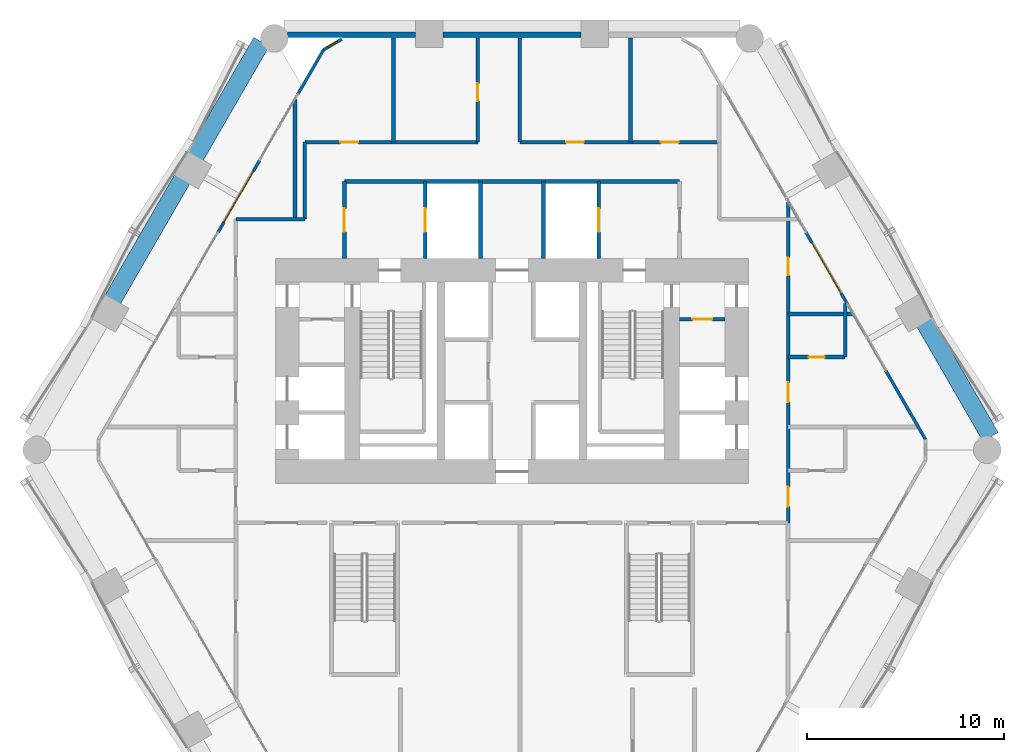
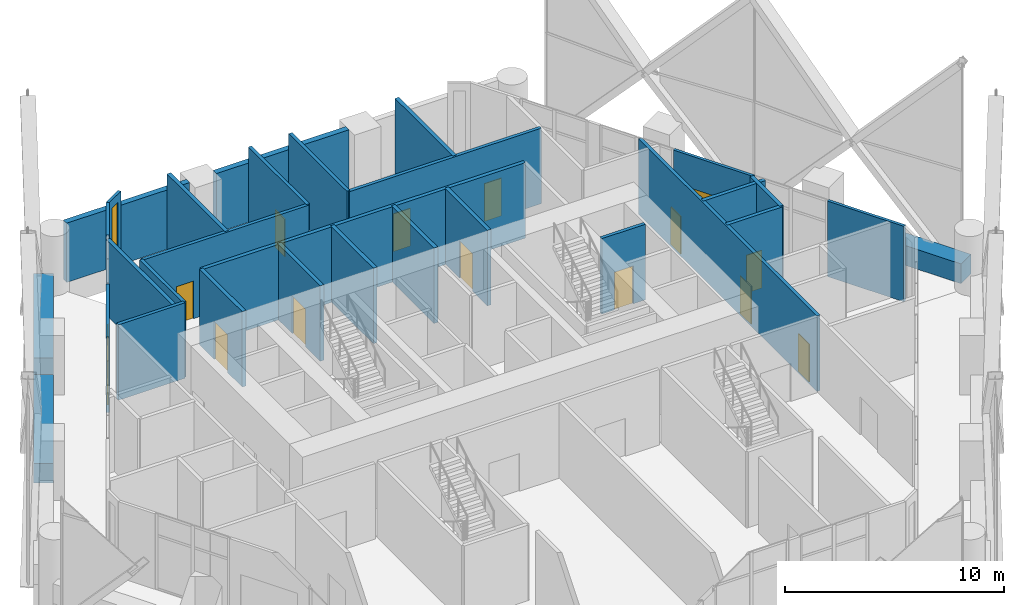
# One storey, part 39 of 46: 30 walls, 14 doors, 1 window, 15 openings.
"""IFC4 building model written with IfcOpenShell, lengths in metres."""

import ifcopenshell
import ifcopenshell.guid

model = None  # the IFC model being written
_history = None  # IfcOwnerHistory: only IFC2X3 demands one
_inside = {}  # id of a spatial element -> (the spatial element, [elements in it])
_under = {}  # id of a project, library or spatial element -> (it, [spatial elements below it])
_declared = {}  # id of a project -> (the project, [libraries it declares])
_typed = {}  # id of a type object -> (the type object, [elements of that type])
_made_of = {}  # id of a material, layer set ... -> (it, [elements and type objects made of it])


def new_model(schema):
    """Start an empty IFC model of exactly this schema.

    Asked for "IFC4X3", IfcOpenShell would pick the latest addendum, in which some entities
    have other attributes; the version numbers below select the first issue.
    IFC2X3 requires an IfcOwnerHistory on every rooted entity: one is made here for all.
    """
    global model, _history
    if schema == "IFC4X3":
        model = ifcopenshell.file(schema_version=(4, 3, 0, 0))
    else:
        model = ifcopenshell.file(schema=schema)
    _inside.clear()
    _under.clear()
    _declared.clear()
    _typed.clear()
    _made_of.clear()
    _history = None
    if model.schema == "IFC2X3":
        org = make("IfcOrganization", Name="unknown")
        user = make(
            "IfcPersonAndOrganization",
            ThePerson=make("IfcPerson", FamilyName="unknown"),
            TheOrganization=org,
        )
        app = make(
            "IfcApplication",
            ApplicationDeveloper=org,
            Version="unknown",
            ApplicationFullName="unknown",
            ApplicationIdentifier="unknown",
        )
        _history = make(
            "IfcOwnerHistory",
            OwningUser=user,
            OwningApplication=app,
            ChangeAction="ADDED",
            CreationDate=0,
        )
    return model


def make(cls, **values):
    """One entity of the class cls with the attributes given. An attribute that is None is left unset."""
    return model.create_entity(
        cls, **{name: value for name, value in values.items() if value is not None}
    )


def rooted(cls, **values):
    """An entity with a GlobalId (a new one), such as an element, a storey or a relation."""
    return make(cls, GlobalId=ifcopenshell.guid.new(), OwnerHistory=_history, **values)


def si_unit(unit_type, name, prefix=None):
    """IfcSIUnit, for example si_unit("LENGTHUNIT", "METRE", prefix="MILLI")."""
    return make("IfcSIUnit", UnitType=unit_type, Prefix=prefix, Name=name)


def assignment(units):
    """IfcUnitAssignment: the units of a project."""
    return None if units is None else make("IfcUnitAssignment", Units=units)


def point(xyz):
    """IfcCartesianPoint."""
    return None if xyz is None else make("IfcCartesianPoint", Coordinates=xyz)


def direction(xyz):
    """IfcDirection."""
    return None if xyz is None else make("IfcDirection", DirectionRatios=xyz)


def frame(location, z_axis=None, x_axis=None):
    """IfcAxis2Placement3D, a coordinate frame: its origin and axes. An axis left out is left unset."""
    return make(
        "IfcAxis2Placement3D",
        Location=point(location),
        Axis=direction(z_axis),
        RefDirection=direction(x_axis),
    )


def frame_2d(location, x_axis=None):
    """IfcAxis2Placement2D, a coordinate frame in the plane: its origin and x axis."""
    return make(
        "IfcAxis2Placement2D", Location=point(location), RefDirection=direction(x_axis)
    )


def origin():
    """The frame at (0, 0, 0) with its axes left unset."""
    return frame((0.0, 0.0, 0.0))


def place(relative_to, where):
    """IfcLocalPlacement: puts the frame where relative to a parent placement (None: the world)."""
    return make(
        "IfcLocalPlacement", PlacementRelTo=relative_to, RelativePlacement=where
    )


def context(
    kind, dimensions, precision=None, world=None, true_north=None, identifier=None
):
    """IfcGeometricRepresentationContext, for example the 3D "Model" context."""
    return make(
        "IfcGeometricRepresentationContext",
        ContextIdentifier=identifier,
        ContextType=kind,
        CoordinateSpaceDimension=dimensions,
        Precision=precision,
        WorldCoordinateSystem=world,
        TrueNorth=true_north,
    )


def subcontext(parent, identifier, kind, view, scale=None):
    """IfcGeometricRepresentationSubContext, for example "Body" below "Model"."""
    return make(
        "IfcGeometricRepresentationSubContext",
        ContextIdentifier=identifier,
        ContextType=kind,
        ParentContext=parent,
        TargetScale=scale,
        TargetView=view,
    )


def project(units=None, contexts=None):
    """IfcProject with its units and contexts."""
    return rooted(
        "IfcProject",
        Name="project",
        RepresentationContexts=contexts,
        UnitsInContext=assignment(units),
    )


def spatial(cls, under=None, at=None, **own):
    """A site, building, storey or space (cls), placed at a placement, below another one or the project."""
    s = rooted(cls, ObjectPlacement=at, **own)
    if under is not None:
        _under.setdefault(under.id(), (under, []))[1].append(s)
    return s


def profile(cls, at=None, kind="AREA", **sizes):
    """A parametric profile (cls). Its sizes go by their IFC names, for example OverallWidth=200.0."""
    return make(cls, ProfileType=kind, Position=at, **sizes)


def rectangle(**sizes):
    """IfcRectangleProfileDef."""
    return profile("IfcRectangleProfileDef", **sizes)


def extrude(swept, where, along, depth):
    """IfcExtrudedAreaSolid: the profile swept, set in the frame where, extruded along a direction by depth."""
    return make(
        "IfcExtrudedAreaSolid",
        SweptArea=swept,
        Position=where,
        ExtrudedDirection=direction(along),
        Depth=depth,
    )


def shape(context_of_items, identifier, shape_type, items):
    """IfcShapeRepresentation: the items that make up one representation, for example the "Body"."""
    return make(
        "IfcShapeRepresentation",
        ContextOfItems=context_of_items,
        RepresentationIdentifier=identifier,
        RepresentationType=shape_type,
        Items=items,
    )


def material(Name=None, Category=None):
    """IfcMaterial."""
    return make("IfcMaterial", Name=Name, Category=Category)


def layer(
    of_material, thickness, ventilated=None, Name=None, Category=None, Priority=None
):
    """IfcMaterialLayer: one layer of a wall or slab, of a material (None: an air gap)."""
    return make(
        "IfcMaterialLayer",
        Material=of_material,
        LayerThickness=thickness,
        IsVentilated=ventilated,
        Name=Name,
        Category=Category,
        Priority=Priority,
    )


def layer_set(layers, Name=None):
    """IfcMaterialLayerSet."""
    return make("IfcMaterialLayerSet", MaterialLayers=layers, LayerSetName=Name)


def made_of(thing, what):
    """Note that an element or type object is made of a material, layer set ...; save() writes the relation."""
    if what is not None:
        _made_of.setdefault(what.id(), (what, []))[1].append(thing)
    return thing


def type_object(cls, material=None, **own):
    """A type object (cls), such as IfcWallType, which elements share."""
    return made_of(rooted(cls, **own), material)


def element(
    cls,
    number,
    at=None,
    inside=None,
    cuts=None,
    type_object=None,
    material=None,
    context=None,
    identifier="Body",
    shape_type=None,
    held_by="IfcProductDefinitionShape",
    body=None,
    shapes=None,
    **own,
):
    """One element of the class cls, such as IfcWall. Its Tag is "e" and its number.

    at: its placement. inside: the storey or other place that contains it. cuts: it is an
    opening in that element (IfcRelVoidsElement). A single representation is given by context,
    identifier, shape_type and body (its items); several are given by shapes. held_by: the class
    of the entity that holds the representations. save() writes the other relations.
    """
    e = rooted(cls, Tag="e%d" % number, ObjectPlacement=at, **own)
    if body is not None:
        shapes = [shape(context, identifier, shape_type, body)]
    if shapes is not None:
        e.Representation = make(held_by, Representations=shapes)
    if inside is not None:
        _inside.setdefault(inside.id(), (inside, []))[1].append(e)
    if cuts is not None:
        rooted(
            "IfcRelVoidsElement", RelatingBuildingElement=cuts, RelatedOpeningElement=e
        )
    if type_object is not None:
        _typed.setdefault(type_object.id(), (type_object, []))[1].append(e)
    return made_of(e, material)


def fill(opening, filler):
    """IfcRelFillsElement: the door or window that sits in an opening."""
    return rooted(
        "IfcRelFillsElement",
        RelatingOpeningElement=opening,
        RelatedBuildingElement=filler,
    )


def aggregate(whole, parts):
    """IfcRelAggregates: a whole, such as a stair, and the parts it consists of."""
    return rooted("IfcRelAggregates", RelatingObject=whole, RelatedObjects=parts)


def save(model, path):
    """Write the relations noted so far, then the file.

    IfcRelAggregates (storeys below a building ...), IfcRelContainedInSpatialStructure (elements
    in a storey), IfcRelDefinesByType, IfcRelAssociatesMaterial and IfcRelDeclares: one each for
    every whole, place, type object, material and project.
    """
    for whole, parts in _under.values():
        aggregate(whole, parts)
    for where, things in _inside.values():
        rooted(
            "IfcRelContainedInSpatialStructure",
            RelatedElements=things,
            RelatingStructure=where,
        )
    for kind, things in _typed.values():
        rooted("IfcRelDefinesByType", RelatedObjects=things, RelatingType=kind)
    for what, things in _made_of.values():
        rooted("IfcRelAssociatesMaterial", RelatedObjects=things, RelatingMaterial=what)
    for by, libraries in _declared.values():
        rooted("IfcRelDeclares", RelatingContext=by, RelatedDefinitions=libraries)
    model.write(path)


model = new_model("IFC4")

# Units and contexts
model_context = context("Model", 3, precision=1e-05, world=origin(), true_north=direction((0.0, 1.0)))
body_context = subcontext(model_context, "Body", "Model", "MODEL_VIEW")
ifc_project = project(units=[si_unit("LENGTHUNIT", "METRE"), si_unit("AREAUNIT", "SQUARE_METRE"), si_unit("VOLUMEUNIT", "CUBIC_METRE"), si_unit("PLANEANGLEUNIT", "RADIAN"), si_unit("MASSUNIT", "GRAM", prefix="KILO")], contexts=[model_context])

# Site, building, storey
site_placement = place(None, origin())
site = spatial("IfcSite", under=ifc_project, at=site_placement, CompositionType="ELEMENT")
building_placement = place(site_placement, origin())
building = spatial("IfcBuilding", under=site, at=building_placement, Name="Ostrander Bayou Hotel Tower", CompositionType="ELEMENT")
storey_placement = place(building_placement, frame((0.0, 0.0, 23.5)))
storey = spatial("IfcBuildingStorey", under=building, at=storey_placement, Name="L05", CompositionType="ELEMENT", Elevation=23.5)

# Wall, opening, door
ifc_material_1 = material(Name="Aluminium framed insulated wall", Category="aluminium")
ifc_layer_1 = layer(ifc_material_1, 0.14990234375)
ifc_layer_set_1 = layer_set([ifc_layer_1], Name="GW1 glass-line wall 150 mm")
wall_type_1 = type_object("IfcWallType", Name="GW1 glass-line wall 150 mm", PredefinedType="SOLIDWALL", material=ifc_layer_set_1)
wall_1_placement = place(storey_placement, frame((-12.806396484375, 14.66845703125, 0.0), z_axis=(0.0, 0.0, 1.0), x_axis=(-0.500027713859, -0.866009402589, 0.0)))
wall_1 = element("IfcWall", 1, at=wall_1_placement, inside=storey, type_object=wall_type_1, Name="GW1 L05 NW 2", PredefinedType="SOLIDWALL", context=body_context, shape_type="SweptSolid", body=[
    extrude(rectangle(XDim=4.199951171875, YDim=0.14990234375, at=frame_2d((2.10009765625, 0.0))), origin(), (0.0, 0.0, 1.0), 4.199951171875),
])
opening_1_placement = place(wall_1_placement, frame((0.60009765625, 0.0, 0.0)))
opening_1 = element("IfcOpeningElement", 2, at=opening_1_placement, cuts=wall_1, Name="Opening T05-800", PredefinedType="OPENING", context=body_context, shape_type="SweptSolid", body=[
    extrude(rectangle(XDim=3.0, YDim=2.39990234375, at=frame_2d((1.5, 1.199951171875))), frame((0.0, 0.074951171875, 0.0), z_axis=(0.0, -1.0, 0.0), x_axis=(1.0, 0.0, 0.0)), (0.0, 0.0, 1.0), 0.14990234375),
])
ifc_material_2 = material(Name="Aluminium and clear glass", Category="aluminium")
door_type_1 = type_object("IfcDoorType", Name="SD5 sliding glass door 3000 mm", OperationType="SLIDING_TO_LEFT", PredefinedType="DOOR", material=ifc_material_2)
door_1_placement = place(opening_1_placement, origin())
door_1 = element("IfcDoor", 3, at=door_1_placement, inside=storey, type_object=door_type_1, Name="SD5 L05 NW 2", OperationType="SLIDING_TO_RIGHT", OverallHeight=2.39990234375, OverallWidth=3.0, PredefinedType="DOOR", context=body_context, shape_type="SweptSolid", body=[
    extrude(rectangle(XDim=3.0, YDim=2.39990234375, at=frame_2d((1.5, 1.199951171875))), frame((0.0, 0.02490234375, 0.0), z_axis=(0.0, -1.0, 0.0), x_axis=(1.0, 0.0, 0.0)), (0.0, 0.0, 1.0), 0.050048828125),
])
fill(opening_1, door_1)

# Wall
wall_2_placement = place(storey_placement, frame((-9.5595703125, 20.29248046875, 0.0), z_axis=(0.0, 0.0, 1.0), x_axis=(-0.499945140294, -0.866057074734, 0.0)))
element("IfcWall", 4, at=wall_2_placement, inside=storey, type_object=wall_type_1, Name="GW1 L05 NW end 1", PredefinedType="SOLIDWALL", context=body_context, shape_type="SweptSolid", body=[
    extrude(rectangle(XDim=2.593994140625, YDim=0.14990234375, at=frame_2d((1.296875, 0.0))), origin(), (0.0, 0.0, 1.0), 4.199951171875),
])

# Wall, opening, door
wall_3_placement = place(storey_placement, frame((17.006591796875, 7.393798828125, 0.0), z_axis=(0.0, 0.0, 1.0), x_axis=(-0.500002543286, 0.866023935413, 0.0)))
wall_3 = element("IfcWall", 5, at=wall_3_placement, inside=storey, type_object=wall_type_1, Name="GW1 L05 NE 3", PredefinedType="SOLIDWALL", context=body_context, shape_type="SweptSolid", body=[
    extrude(rectangle(XDim=4.2001953125, YDim=0.14990234375, at=frame_2d((2.10009765625, 0.0))), origin(), (0.0, 0.0, 1.0), 4.199951171875),
])
opening_2_placement = place(wall_3_placement, frame((0.60009765625, 0.0, 0.0)))
opening_2 = element("IfcOpeningElement", 6, at=opening_2_placement, cuts=wall_3, Name="Opening T05-804", PredefinedType="OPENING", context=body_context, shape_type="SweptSolid", body=[
    extrude(rectangle(XDim=3.0, YDim=2.39990234375, at=frame_2d((1.5, 1.199951171875))), frame((0.0, 0.074951171875, 0.0), z_axis=(0.0, -1.0, 0.0), x_axis=(1.0, 0.0, 0.0)), (0.0, 0.0, 1.0), 0.14990234375),
])
door_2_placement = place(opening_2_placement, origin())
door_2 = element("IfcDoor", 7, at=door_2_placement, inside=storey, type_object=door_type_1, Name="SD5 L05 NE 3", OperationType="SLIDING_TO_LEFT", OverallHeight=2.39990234375, OverallWidth=3.0, PredefinedType="DOOR", context=body_context, shape_type="SweptSolid", body=[
    extrude(rectangle(XDim=3.0, YDim=2.39990234375, at=frame_2d((1.5, 1.199951171875))), frame((0.0, 0.02490234375, 0.0), z_axis=(0.0, -1.0, 0.0), x_axis=(1.0, 0.0, 0.0)), (0.0, 0.0, 1.0), 0.050048828125),
])
fill(opening_2, door_2)

# Wall
wall_4_placement = place(storey_placement, frame((20.968017578125, 0.532470703125, 0.0), z_axis=(0.0, 0.0, 1.0), x_axis=(-0.500009633848, 0.866019841608, 0.0)))
element("IfcWall", 8, at=wall_4_placement, inside=storey, type_object=wall_type_1, Name="GW1 L05 NE end 1", PredefinedType="SOLIDWALL", context=body_context, shape_type="SweptSolid", body=[
    extrude(rectangle(XDim=4.02294921875, YDim=0.14990234375, at=frame_2d((2.011474609375, 0.0))), origin(), (0.0, 0.0, 1.0), 4.199951171875),
])

# Wall, opening, window
wall_5_placement = place(storey_placement, frame((-8.63720703125, 20.824951171875, 0.0), z_axis=(0.0, 0.0, 1.0), x_axis=(-0.866048165231, -0.499960573946, 0.0)))
wall_5 = element("IfcWall", 9, at=wall_5_placement, inside=storey, type_object=wall_type_1, Name="GW1 L05 corner 1", PredefinedType="SOLIDWALL", context=body_context, shape_type="SweptSolid", body=[
    extrude(rectangle(XDim=1.06494140625, YDim=0.14990234375, at=frame_2d((0.532470703125, 0.0))), origin(), (0.0, 0.0, 1.0), 4.199951171875),
])
opening_3_placement = place(wall_5_placement, frame((0.257568359375, 0.0, 0.14990234375)))
opening_3 = element("IfcOpeningElement", 10, at=opening_3_placement, cuts=wall_5, Name="Opening W19", PredefinedType="OPENING", context=body_context, shape_type="SweptSolid", body=[
    extrude(rectangle(XDim=0.550048828125, YDim=3.60009765625, at=frame_2d((0.27490234375, 1.800048828125))), frame((0.0, 0.074951171875, 0.0), z_axis=(0.0, -1.0, 0.0), x_axis=(1.0, 0.0, 0.0)), (0.0, 0.0, 1.0), 0.14990234375),
])
ifc_material_3 = material(Name="Aluminium and clear glass", Category="aluminium")
window_type = type_object("IfcWindowType", Name="W19 corner window 550 mm", PartitioningType="SINGLE_PANEL", PredefinedType="WINDOW", material=ifc_material_3)
window_placement = place(opening_3_placement, origin())
window = element("IfcWindow", 11, at=window_placement, inside=storey, type_object=window_type, Name="W19 L05 corner 1", OverallHeight=3.60009765625, OverallWidth=0.550048828125, PartitioningType="SINGLE_PANEL", PredefinedType="WINDOW", context=body_context, shape_type="SweptSolid", body=[
    extrude(rectangle(XDim=0.550048828125, YDim=3.60009765625, at=frame_2d((0.27490234375, 1.800048828125))), frame((0.0, 0.030029296875, 0.0), z_axis=(0.0, -1.0, 0.0), x_axis=(1.0, 0.0, 0.0)), (0.0, 0.0, 1.0), 0.06005859375),
])
fill(opening_3, window)

# Walls
ifc_material_4 = material(Name="Reconstituted stone on masonry backing", Category="masonry")
ifc_layer_2 = layer(ifc_material_4, 0.300048828125)
ifc_layer_set_2 = layer_set([ifc_layer_2], Name="NW1 north stone wall 300 mm")
wall_type_2 = type_object("IfcWallType", Name="NW1 north stone wall 300 mm", PredefinedType="SOLIDWALL", material=ifc_layer_set_2)
wall_6_placement = place(storey_placement, frame((3.495361328125, 21.050048828125, 0.0), z_axis=(0.0, 0.0, 1.0), x_axis=(-1.0, 0.0, 0.0)))
element("IfcWall", 12, at=wall_6_placement, inside=storey, type_object=wall_type_2, Name="NW1 L05 N-2", PredefinedType="SOLIDWALL", context=body_context, shape_type="SweptSolid", body=[
    extrude(rectangle(XDim=6.99072265625, YDim=0.300048828125, at=frame_2d((3.495361328125, 0.0))), origin(), (0.0, 0.0, 1.0), 3.300048828125),
])
wall_7_placement = place(storey_placement, frame((-4.8955078125, 21.050048828125, 0.0), z_axis=(0.0, 0.0, 1.0), x_axis=(-1.0, 0.0, 0.0)))
element("IfcWall", 13, at=wall_7_placement, inside=storey, type_object=wall_type_2, Name="NW1 L05 N-3", PredefinedType="SOLIDWALL", context=body_context, shape_type="SweptSolid", body=[
    extrude(rectangle(XDim=6.481201171875, YDim=0.300048828125, at=frame_2d((3.24072265625, 0.0))), origin(), (0.0, 0.0, 1.0), 3.300048828125),
])
ifc_material_5 = material(Name="Concrete f'c 40 MPa", Category="concrete")
ifc_layer_3 = layer(ifc_material_5, 0.89990234375)
ifc_layer_set_3 = layer_set([ifc_layer_3], Name="PA1 stone-faced parapet 900 mm")
wall_type_3 = type_object("IfcWallType", Name="PA1 stone-faced parapet 900 mm", PredefinedType="PARAPET", material=ifc_layer_set_3)
wall_8_placement = place(storey_placement, frame((-12.705078125, 20.694091796875, 0.0), z_axis=(0.0, 0.0, 1.0), x_axis=(-0.500005133765, -0.866022439784, 0.0)))
element("IfcWall", 14, at=wall_8_placement, inside=storey, type_object=wall_type_3, Name="PA1 L05 NW-1", PredefinedType="PARAPET", context=body_context, shape_type="SweptSolid", body=[
    extrude(rectangle(XDim=6.70361328125, YDim=0.89990234375, at=frame_2d((3.351806640625, 0.0))), origin(), (0.0, 0.0, 1.0), 1.10009765625),
])
wall_9_placement = place(storey_placement, frame((-16.726806640625, 13.72802734375, 0.0), z_axis=(0.0, 0.0, 1.0), x_axis=(-0.499997206141, -0.866027016814, 0.0)))
element("IfcWall", 15, at=wall_9_placement, inside=storey, type_object=wall_type_3, Name="PA1 L05 NW-2", PredefinedType="PARAPET", context=body_context, shape_type="SweptSolid", body=[
    extrude(rectangle(XDim=7.05078125, YDim=0.89990234375, at=frame_2d((3.525390625, 0.0))), origin(), (0.0, 0.0, 1.0), 1.10009765625),
])
wall_10_placement = place(storey_placement, frame((24.274169921875, 0.656005859375, 0.0), z_axis=(0.0, 0.0, 1.0), x_axis=(-0.500005133765, 0.866022439784, 0.0)))
element("IfcWall", 16, at=wall_10_placement, inside=storey, type_object=wall_type_3, Name="PA1 L05 NE-1", PredefinedType="PARAPET", context=body_context, shape_type="SweptSolid", body=[
    extrude(rectangle(XDim=6.70361328125, YDim=0.89990234375, at=frame_2d((3.351806640625, 0.0))), origin(), (0.0, 0.0, 1.0), 1.10009765625),
])

# Wall, opening, door
ifc_material_6 = material(Name="Gypsum board partition", Category="finish")
ifc_layer_4 = layer(ifc_material_6, 0.199951171875)
ifc_layer_set_4 = layer_set([ifc_layer_4], Name="PT3 demising wall 200 mm acoustic double stud, 1 hour")
wall_type_4 = type_object("IfcWallType", Name="PT3 demising wall 200 mm acoustic double stud, 1 hour", PredefinedType="PARTITIONING", material=ifc_layer_set_4)
wall_11_placement = place(storey_placement, frame((14.0, 4.699951171875, 0.0), z_axis=(0.0, 0.0, 1.0), x_axis=(1.0, 0.0, 0.0)))
wall_11 = element("IfcWall", 17, at=wall_11_placement, inside=storey, type_object=wall_type_4, Name="sw:L05:021", PredefinedType="PARTITIONING", context=body_context, shape_type="SweptSolid", body=[
    extrude(rectangle(XDim=2.89990234375, YDim=0.199951171875, at=frame_2d((1.449951171875, 0.0))), origin(), (0.0, 0.0, 1.0), 4.199951171875),
])
opening_4_placement = place(wall_11_placement, frame((1.050048828125, 0.0, 0.0)))
opening_4 = element("IfcOpeningElement", 18, at=opening_4_placement, cuts=wall_11, Name="Opening T05-214", PredefinedType="OPENING", context=body_context, shape_type="SweptSolid", body=[
    extrude(rectangle(XDim=0.800048828125, YDim=2.10009765625, at=frame_2d((0.39990234375, 1.050048828125))), frame((0.0, 0.10009765625, 0.0), z_axis=(0.0, -1.0, 0.0), x_axis=(1.0, 0.0, 0.0)), (0.0, 0.0, 1.0), 0.199951171875),
])
ifc_material_7 = material(Name="Timber door leaf", Category="wood")
door_type_2 = type_object("IfcDoorType", Name="D2 bathroom door 800 x 2100 mm", OperationType="SINGLE_SWING_LEFT", PredefinedType="DOOR", material=ifc_material_7)
door_3_placement = place(opening_4_placement, origin())
door_3 = element("IfcDoor", 19, at=door_3_placement, inside=storey, type_object=door_type_2, Name="dr:L05:214", OperationType="SINGLE_SWING_RIGHT", OverallHeight=2.10009765625, OverallWidth=0.800048828125, PredefinedType="DOOR", context=body_context, shape_type="SweptSolid", body=[
    extrude(rectangle(XDim=0.800048828125, YDim=2.10009765625, at=frame_2d((0.39990234375, 1.050048828125))), frame((0.0, 0.02490234375, 0.0), z_axis=(0.0, -1.0, 0.0), x_axis=(1.0, 0.0, 0.0)), (0.0, 0.0, 1.0), 0.050048828125),
])
fill(opening_4, door_3)

# Walls
wall_12_placement = place(storey_placement, frame((14.0, 6.89990234375, 0.0), z_axis=(0.0, 0.0, 1.0), x_axis=(1.0, 0.0, 0.0)))
element("IfcWall", 20, at=wall_12_placement, inside=storey, type_object=wall_type_4, Name="sw:L05:023", PredefinedType="PARTITIONING", context=body_context, shape_type="SweptSolid", body=[
    extrude(rectangle(XDim=3.2705078125, YDim=0.199951171875, at=frame_2d((1.63525390625, 0.0))), origin(), (0.0, 0.0, 1.0), 4.199951171875),
])
wall_13_placement = place(storey_placement, frame((-11.0, 11.699951171875, 0.0), z_axis=(0.0, 0.0, 1.0), x_axis=(0.0, 1.0, 0.0)))
element("IfcWall", 21, at=wall_13_placement, inside=storey, type_object=wall_type_4, Name="sw:L05:027", PredefinedType="PARTITIONING", context=body_context, shape_type="SweptSolid", body=[
    extrude(rectangle(XDim=6.064453125, YDim=0.199951171875, at=frame_2d((3.0322265625, 0.0))), origin(), (0.0, 0.0, 1.0), 4.199951171875),
])
for number, where, z_axis, x_axis, name in (
    (22, (-6.0, 15.60009765625, 0.0), (0.0, 0.0, 1.0), (0.0, 1.0, 0.0), "sw:L05:028"),
    (23, (6.0, 15.60009765625, 0.0), (0.0, 0.0, 1.0), (0.0, 1.0, 0.0), "sw:L05:031"),
):
    element("IfcWall", number, at=place(storey_placement, frame(where, z_axis=z_axis, x_axis=x_axis)), inside=storey, type_object=wall_type_4, Name=name, PredefinedType="PARTITIONING", context=body_context, shape_type="SweptSolid", body=[
        extrude(rectangle(XDim=5.294921875, YDim=0.199951171875, at=frame_2d((2.6474609375, 0.0))), origin(), (0.0, 0.0, 1.0), 4.199951171875),
    ])
wall_14_placement = place(storey_placement, frame((16.89990234375, 4.699951171875, 0.0), z_axis=(0.0, 0.0, 1.0), x_axis=(0.0, 1.0, 0.0)))
element("IfcWall", 24, at=wall_14_placement, inside=storey, type_object=wall_type_4, Name="sw:L05:037", PredefinedType="PARTITIONING", context=body_context, shape_type="SweptSolid", body=[
    extrude(rectangle(XDim=2.723388671875, YDim=0.199951171875, at=frame_2d((1.36181640625, 0.0))), origin(), (0.0, 0.0, 1.0), 4.199951171875),
])

# Wall, opening, door
ifc_material_8 = material(Name="Gypsum board partition", Category="finish")
ifc_layer_5 = layer(ifc_material_8, 0.175048828125)
ifc_layer_set_5 = layer_set([ifc_layer_5], Name="PT4 corridor wall 175 mm, 1 hour")
wall_type_5 = type_object("IfcWallType", Name="PT4 corridor wall 175 mm, 1 hour", PredefinedType="PARTITIONING", material=ifc_layer_set_5)
wall_15_placement = place(storey_placement, frame((8.5, 6.614013671875, 0.0), z_axis=(0.0, 0.0, 1.0), x_axis=(1.0, 0.0, 0.0)))
wall_15 = element("IfcWall", 25, at=wall_15_placement, inside=storey, type_object=wall_type_5, Name="cs:L05:036", PredefinedType="PARTITIONING", context=body_context, shape_type="SweptSolid", body=[
    extrude(rectangle(XDim=2.300048828125, YDim=0.175048828125, at=frame_2d((1.14990234375, 0.0))), origin(), (0.0, 0.0, 1.0), 4.199951171875),
])
opening_5_placement = place(wall_15_placement, frame((0.64990234375, 0.0, 0.0)))
opening_5 = element("IfcOpeningElement", 26, at=opening_5_placement, cuts=wall_15, Name="Opening T05-018", PredefinedType="OPENING", context=body_context, shape_type="SweptSolid", body=[
    extrude(rectangle(XDim=1.0, YDim=2.10009765625, at=frame_2d((0.5, 1.050048828125))), frame((0.0, 0.08740234375, 0.0), z_axis=(0.0, -1.0, 0.0), x_axis=(1.0, 0.0, 0.0)), (0.0, 0.0, 1.0), 0.175048828125),
])
ifc_material_9 = material(Name="Timber door leaf", Category="wood")
door_type_3 = type_object("IfcDoorType", Name="D4 corridor door 1000 x 2100 mm, 1 hour", OperationType="SINGLE_SWING_LEFT", PredefinedType="DOOR", material=ifc_material_9)
door_4_placement = place(opening_5_placement, origin())
door_4 = element("IfcDoor", 27, at=door_4_placement, inside=storey, type_object=door_type_3, Name="dr:L05:018", OperationType="SINGLE_SWING_RIGHT", OverallHeight=2.10009765625, OverallWidth=1.0, PredefinedType="DOOR", context=body_context, shape_type="SweptSolid", body=[
    extrude(rectangle(XDim=1.0, YDim=2.10009765625, at=frame_2d((0.5, 1.050048828125))), frame((0.0, 0.02490234375, 0.0), z_axis=(0.0, -1.0, 0.0), x_axis=(1.0, 0.0, 0.0)), (0.0, 0.0, 1.0), 0.050048828125),
])
fill(opening_5, door_4)

# Wall
wall_16_placement = place(storey_placement, frame((-14.0, 11.699951171875, 0.0), z_axis=(0.0, 0.0, 1.0), x_axis=(1.0, 0.0, 0.0)))
element("IfcWall", 28, at=wall_16_placement, inside=storey, type_object=wall_type_5, Name="sw:L05:004", PredefinedType="PARTITIONING", context=body_context, shape_type="SweptSolid", body=[
    extrude(rectangle(XDim=3.5, YDim=0.175048828125, at=frame_2d((1.75, 0.0))), origin(), (0.0, 0.0, 1.0), 4.199951171875),
])

# Wall, opening, door
wall_17_placement = place(storey_placement, frame((-10.5, 15.60009765625, 0.0), z_axis=(0.0, 0.0, 1.0), x_axis=(1.0, 0.0, 0.0)))
wall_17 = element("IfcWall", 29, at=wall_17_placement, inside=storey, type_object=wall_type_5, Name="sw:L05:006", PredefinedType="PARTITIONING", context=body_context, shape_type="SweptSolid", body=[
    extrude(rectangle(XDim=8.771728515625, YDim=0.175048828125, at=frame_2d((4.3857421875, 0.0))), origin(), (0.0, 0.0, 1.0), 4.199951171875),
])
opening_6_placement = place(wall_17_placement, frame((1.800048828125, 0.0, 0.0)))
opening_6 = element("IfcOpeningElement", 30, at=opening_6_placement, cuts=wall_17, Name="Opening T05-216", PredefinedType="OPENING", context=body_context, shape_type="SweptSolid", body=[
    extrude(rectangle(XDim=0.89990234375, YDim=2.10009765625, at=frame_2d((0.449951171875, 1.050048828125))), frame((0.0, 0.08740234375, 0.0), z_axis=(0.0, -1.0, 0.0), x_axis=(1.0, 0.0, 0.0)), (0.0, 0.0, 1.0), 0.175048828125),
])
ifc_material_10 = material(Name="Timber door leaf", Category="wood")
door_type_4 = type_object("IfcDoorType", Name="D8 room door 900 x 2100 mm", OperationType="SINGLE_SWING_LEFT", PredefinedType="DOOR", material=ifc_material_10)
door_5_placement = place(opening_6_placement, origin())
door_5 = element("IfcDoor", 31, at=door_5_placement, inside=storey, type_object=door_type_4, Name="dr:L05:216", OperationType="SINGLE_SWING_RIGHT", OverallHeight=2.10009765625, OverallWidth=0.89990234375, PredefinedType="DOOR", context=body_context, shape_type="SweptSolid", body=[
    extrude(rectangle(XDim=0.89990234375, YDim=2.10009765625, at=frame_2d((0.449951171875, 1.050048828125))), frame((0.0, 0.02490234375, 0.0), z_axis=(0.0, -1.0, 0.0), x_axis=(1.0, 0.0, 0.0)), (0.0, 0.0, 1.0), 0.050048828125),
])
fill(opening_6, door_5)

# Wall, openings, doors
wall_18_placement = place(storey_placement, frame((0.39990234375, 15.60009765625, 0.0), z_axis=(0.0, 0.0, 1.0), x_axis=(1.0, 0.0, 0.0)))
wall_18 = element("IfcWall", 32, at=wall_18_placement, inside=storey, type_object=wall_type_5, Name="sw:L05:007", PredefinedType="PARTITIONING", context=body_context, shape_type="SweptSolid", body=[
    extrude(rectangle(XDim=10.10009765625, YDim=0.175048828125, at=frame_2d((5.050048828125, 0.0))), origin(), (0.0, 0.0, 1.0), 4.199951171875),
])
opening_7_placement = place(wall_18_placement, frame((2.35009765625, 0.0, 0.0)))
opening_7 = element("IfcOpeningElement", 33, at=opening_7_placement, cuts=wall_18, Name="Opening T05-218", PredefinedType="OPENING", context=body_context, shape_type="SweptSolid", body=[
    extrude(rectangle(XDim=0.89990234375, YDim=2.10009765625, at=frame_2d((0.449951171875, 1.050048828125))), frame((0.0, 0.08740234375, 0.0), z_axis=(0.0, -1.0, 0.0), x_axis=(1.0, 0.0, 0.0)), (0.0, 0.0, 1.0), 0.175048828125),
])
opening_8_placement = place(wall_18_placement, frame((7.14990234375, 0.0, 0.0)))
opening_8 = element("IfcOpeningElement", 34, at=opening_8_placement, cuts=wall_18, Name="Opening T05-219", PredefinedType="OPENING", context=body_context, shape_type="SweptSolid", body=[
    extrude(rectangle(XDim=0.89990234375, YDim=2.10009765625, at=frame_2d((0.449951171875, 1.050048828125))), frame((0.0, 0.08740234375, 0.0), z_axis=(0.0, -1.0, 0.0), x_axis=(1.0, 0.0, 0.0)), (0.0, 0.0, 1.0), 0.175048828125),
])
door_6_placement = place(opening_7_placement, origin())
door_6 = element("IfcDoor", 35, at=door_6_placement, inside=storey, type_object=door_type_4, Name="dr:L05:218", OperationType="SINGLE_SWING_RIGHT", OverallHeight=2.10009765625, OverallWidth=0.89990234375, PredefinedType="DOOR", context=body_context, shape_type="SweptSolid", body=[
    extrude(rectangle(XDim=0.89990234375, YDim=2.10009765625, at=frame_2d((0.449951171875, 1.050048828125))), frame((0.0, 0.02490234375, 0.0), z_axis=(0.0, -1.0, 0.0), x_axis=(1.0, 0.0, 0.0)), (0.0, 0.0, 1.0), 0.050048828125),
])
fill(opening_7, door_6)
door_7_placement = place(opening_8_placement, origin())
door_7 = element("IfcDoor", 36, at=door_7_placement, inside=storey, type_object=door_type_4, Name="dr:L05:219", OperationType="SINGLE_SWING_LEFT", OverallHeight=2.10009765625, OverallWidth=0.89990234375, PredefinedType="DOOR", context=body_context, shape_type="SweptSolid", body=[
    extrude(rectangle(XDim=0.89990234375, YDim=2.10009765625, at=frame_2d((0.449951171875, 1.050048828125))), frame((0.0, 0.02490234375, 0.0), z_axis=(0.0, -1.0, 0.0), x_axis=(1.0, 0.0, 0.0)), (0.0, 0.0, 1.0), 0.050048828125),
])
fill(opening_8, door_7)

# Wall
wall_19_placement = place(storey_placement, frame((-10.5, 11.699951171875, 0.0), z_axis=(0.0, 0.0, 1.0), x_axis=(0.0, 1.0, 0.0)))
element("IfcWall", 37, at=wall_19_placement, inside=storey, type_object=wall_type_5, Name="sw:L05:009", PredefinedType="PARTITIONING", context=body_context, shape_type="SweptSolid", body=[
    extrude(rectangle(XDim=3.900146484375, YDim=0.175048828125, at=frame_2d((1.9501953125, 0.0))), origin(), (0.0, 0.0, 1.0), 4.199951171875),
])

# Wall, opening, door
wall_20_placement = place(storey_placement, frame((-1.72802734375, 15.60009765625, 0.0), z_axis=(0.0, 0.0, 1.0), x_axis=(0.0, 1.0, 0.0)))
wall_20 = element("IfcWall", 38, at=wall_20_placement, inside=storey, type_object=wall_type_5, Name="sw:L05:010", PredefinedType="PARTITIONING", context=body_context, shape_type="SweptSolid", body=[
    extrude(rectangle(XDim=5.294921875, YDim=0.175048828125, at=frame_2d((2.6474609375, 0.0))), origin(), (0.0, 0.0, 1.0), 4.199951171875),
])
opening_9_placement = place(wall_20_placement, frame((2.0849609375, 0.0, 0.0)))
opening_9 = element("IfcOpeningElement", 39, at=opening_9_placement, cuts=wall_20, Name="Opening T05-217", PredefinedType="OPENING", context=body_context, shape_type="SweptSolid", body=[
    extrude(rectangle(XDim=0.89990234375, YDim=2.10009765625, at=frame_2d((0.449951171875, 1.050048828125))), frame((0.0, 0.08740234375, 0.0), z_axis=(0.0, -1.0, 0.0), x_axis=(1.0, 0.0, 0.0)), (0.0, 0.0, 1.0), 0.175048828125),
])
door_8_placement = place(opening_9_placement, origin())
door_8 = element("IfcDoor", 40, at=door_8_placement, inside=storey, type_object=door_type_4, Name="dr:L05:217", OperationType="SINGLE_SWING_LEFT", OverallHeight=2.10009765625, OverallWidth=0.89990234375, PredefinedType="DOOR", context=body_context, shape_type="SweptSolid", body=[
    extrude(rectangle(XDim=0.89990234375, YDim=2.10009765625, at=frame_2d((0.449951171875, 1.050048828125))), frame((0.0, 0.02490234375, 0.0), z_axis=(0.0, -1.0, 0.0), x_axis=(1.0, 0.0, 0.0)), (0.0, 0.0, 1.0), 0.050048828125),
])
fill(opening_9, door_8)

# Wall
wall_21_placement = place(storey_placement, frame((0.39990234375, 15.60009765625, 0.0), z_axis=(0.0, 0.0, 1.0), x_axis=(0.0, 1.0, 0.0)))
element("IfcWall", 41, at=wall_21_placement, inside=storey, type_object=wall_type_5, Name="sw:L05:011", PredefinedType="PARTITIONING", context=body_context, shape_type="SweptSolid", body=[
    extrude(rectangle(XDim=5.294921875, YDim=0.175048828125, at=frame_2d((2.6474609375, 0.0))), origin(), (0.0, 0.0, 1.0), 4.199951171875),
])

# Wall, openings, doors
wall_22_placement = place(storey_placement, frame((14.0, -3.699951171875, 0.0), z_axis=(0.0, 0.0, 1.0), x_axis=(0.0, 1.0, 0.0)))
wall_22 = element("IfcWall", 42, at=wall_22_placement, inside=storey, type_object=wall_type_5, Name="sw:L05:013", PredefinedType="PARTITIONING", context=body_context, shape_type="SweptSolid", body=[
    extrude(rectangle(XDim=16.268310546875, YDim=0.175048828125, at=frame_2d((8.13427734375, 0.0))), origin(), (0.0, 0.0, 1.0), 4.199951171875),
])
opening_10_placement = place(wall_22_placement, frame((0.824951171875, 0.0, 0.0)))
opening_10 = element("IfcOpeningElement", 43, at=opening_10_placement, cuts=wall_22, Name="Opening T05-211", PredefinedType="OPENING", context=body_context, shape_type="SweptSolid", body=[
    extrude(rectangle(XDim=1.0, YDim=2.10009765625, at=frame_2d((0.5, 1.050048828125))), frame((0.0, 0.08740234375, 0.0), z_axis=(0.0, -1.0, 0.0), x_axis=(1.0, 0.0, 0.0)), (0.0, 0.0, 1.0), 0.175048828125),
])
opening_11_placement = place(wall_22_placement, frame((6.125, 0.0, 0.0)))
opening_11 = element("IfcOpeningElement", 44, at=opening_11_placement, cuts=wall_22, Name="Opening T05-213", PredefinedType="OPENING", context=body_context, shape_type="SweptSolid", body=[
    extrude(rectangle(XDim=1.0, YDim=2.10009765625, at=frame_2d((0.5, 1.050048828125))), frame((0.0, 0.08740234375, 0.0), z_axis=(0.0, -1.0, 0.0), x_axis=(1.0, 0.0, 0.0)), (0.0, 0.0, 1.0), 0.175048828125),
])
opening_12_placement = place(wall_22_placement, frame((12.550048828125, 0.0, 0.0)))
opening_12 = element("IfcOpeningElement", 45, at=opening_12_placement, cuts=wall_22, Name="Opening T05-220", PredefinedType="OPENING", context=body_context, shape_type="SweptSolid", body=[
    extrude(rectangle(XDim=0.89990234375, YDim=2.10009765625, at=frame_2d((0.449951171875, 1.050048828125))), frame((0.0, 0.08740234375, 0.0), z_axis=(0.0, -1.0, 0.0), x_axis=(1.0, 0.0, 0.0)), (0.0, 0.0, 1.0), 0.175048828125),
])
ifc_material_11 = material(Name="Timber door leaf", Category="wood")
door_type_5 = type_object("IfcDoorType", Name="D1 guest room door 1000 x 2100 mm, 30 minute", OperationType="SINGLE_SWING_LEFT", PredefinedType="DOOR", material=ifc_material_11)
door_9_placement = place(opening_10_placement, origin())
door_9 = element("IfcDoor", 46, at=door_9_placement, inside=storey, type_object=door_type_5, Name="dr:L05:211", OperationType="SINGLE_SWING_LEFT", OverallHeight=2.10009765625, OverallWidth=1.0, PredefinedType="DOOR", context=body_context, shape_type="SweptSolid", body=[
    extrude(rectangle(XDim=1.0, YDim=2.10009765625, at=frame_2d((0.5, 1.050048828125))), frame((0.0, 0.02490234375, 0.0), z_axis=(0.0, -1.0, 0.0), x_axis=(1.0, 0.0, 0.0)), (0.0, 0.0, 1.0), 0.050048828125),
])
fill(opening_10, door_9)
door_10_placement = place(opening_11_placement, origin())
door_10 = element("IfcDoor", 47, at=door_10_placement, inside=storey, type_object=door_type_5, Name="dr:L05:213", OperationType="SINGLE_SWING_LEFT", OverallHeight=2.10009765625, OverallWidth=1.0, PredefinedType="DOOR", context=body_context, shape_type="SweptSolid", body=[
    extrude(rectangle(XDim=1.0, YDim=2.10009765625, at=frame_2d((0.5, 1.050048828125))), frame((0.0, 0.02490234375, 0.0), z_axis=(0.0, -1.0, 0.0), x_axis=(1.0, 0.0, 0.0)), (0.0, 0.0, 1.0), 0.050048828125),
])
fill(opening_11, door_10)
door_11_placement = place(opening_12_placement, origin())
door_11 = element("IfcDoor", 48, at=door_11_placement, inside=storey, type_object=door_type_4, Name="dr:L05:220", OperationType="SINGLE_SWING_RIGHT", OverallHeight=2.10009765625, OverallWidth=0.89990234375, PredefinedType="DOOR", context=body_context, shape_type="SweptSolid", body=[
    extrude(rectangle(XDim=0.89990234375, YDim=2.10009765625, at=frame_2d((0.449951171875, 1.050048828125))), frame((0.0, 0.02490234375, 0.0), z_axis=(0.0, -1.0, 0.0), x_axis=(1.0, 0.0, 0.0)), (0.0, 0.0, 1.0), 0.050048828125),
])
fill(opening_12, door_11)

# Wall
ifc_material_12 = material(Name="Masonry block", Category="masonry")
ifc_layer_6 = layer(ifc_material_12, 0.199951171875)
ifc_layer_set_6 = layer_set([ifc_layer_6], Name="PT5 stair enclosure wall 200 mm masonry, 2 hour")
wall_type_6 = type_object("IfcWallType", Name="PT5 stair enclosure wall 200 mm masonry, 2 hour", PredefinedType="PARTITIONING", material=ifc_layer_set_6)
wall_23_placement = place(storey_placement, frame((-8.5, 13.60009765625, 0.0), z_axis=(0.0, 0.0, 1.0), x_axis=(1.0, 0.0, 0.0)))
element("IfcWall", 49, at=wall_23_placement, inside=storey, type_object=wall_type_6, Name="cs:L05:023", PredefinedType="PARTITIONING", context=body_context, shape_type="SweptSolid", body=[
    extrude(rectangle(XDim=17.0, YDim=0.199951171875, at=frame_2d((8.5, 0.0))), origin(), (0.0, 0.0, 1.0), 4.199951171875),
])

# Wall, opening, door
wall_24_placement = place(storey_placement, frame((-8.5, 9.699951171875, 0.0), z_axis=(0.0, 0.0, 1.0), x_axis=(0.0, 1.0, 0.0)))
wall_24 = element("IfcWall", 50, at=wall_24_placement, inside=storey, type_object=wall_type_6, Name="cs:L05:024", PredefinedType="PARTITIONING", context=body_context, shape_type="SweptSolid", body=[
    extrude(rectangle(XDim=3.900146484375, YDim=0.199951171875, at=frame_2d((1.9501953125, 0.0))), origin(), (0.0, 0.0, 1.0), 4.199951171875),
])
opening_13_placement = place(wall_24_placement, frame((1.35009765625, 0.0, 0.0)))
opening_13 = element("IfcOpeningElement", 51, at=opening_13_placement, cuts=wall_24, Name="Opening T05-010", PredefinedType="OPENING", context=body_context, shape_type="SweptSolid", body=[
    extrude(rectangle(XDim=1.199951171875, YDim=2.10009765625, at=frame_2d((0.60009765625, 1.050048828125))), frame((0.0, 0.10009765625, 0.0), z_axis=(0.0, -1.0, 0.0), x_axis=(1.0, 0.0, 0.0)), (0.0, 0.0, 1.0), 0.199951171875),
])
ifc_material_13 = material(Name="Timber door leaf", Category="wood")
door_type_6 = type_object("IfcDoorType", Name="D7 lobby door 1200 x 2100 mm, 1 hour", OperationType="SINGLE_SWING_LEFT", PredefinedType="DOOR", material=ifc_material_13)
door_12_placement = place(opening_13_placement, origin())
door_12 = element("IfcDoor", 52, at=door_12_placement, inside=storey, type_object=door_type_6, Name="dr:L05:010", OperationType="SINGLE_SWING_LEFT", OverallHeight=2.10009765625, OverallWidth=1.199951171875, PredefinedType="DOOR", context=body_context, shape_type="SweptSolid", body=[
    extrude(rectangle(XDim=1.199951171875, YDim=2.10009765625, at=frame_2d((0.60009765625, 1.050048828125))), frame((0.0, 0.02490234375, 0.0), z_axis=(0.0, -1.0, 0.0), x_axis=(1.0, 0.0, 0.0)), (0.0, 0.0, 1.0), 0.050048828125),
])
fill(opening_13, door_12)

wall_25_placement = place(storey_placement, frame((-4.39990234375, 9.699951171875, 0.0), z_axis=(0.0, 0.0, 1.0), x_axis=(0.0, 1.0, 0.0)))
wall_25 = element("IfcWall", 53, at=wall_25_placement, inside=storey, type_object=wall_type_6, Name="cs:L05:026", PredefinedType="PARTITIONING", context=body_context, shape_type="SweptSolid", body=[
    extrude(rectangle(XDim=3.900146484375, YDim=0.199951171875, at=frame_2d((1.9501953125, 0.0))), origin(), (0.0, 0.0, 1.0), 4.199951171875),
])
opening_14_placement = place(wall_25_placement, frame((1.35009765625, 0.0, 0.0)))
opening_14 = element("IfcOpeningElement", 54, at=opening_14_placement, cuts=wall_25, Name="Opening T05-009", PredefinedType="OPENING", context=body_context, shape_type="SweptSolid", body=[
    extrude(rectangle(XDim=1.199951171875, YDim=2.10009765625, at=frame_2d((0.60009765625, 1.050048828125))), frame((0.0, 0.10009765625, 0.0), z_axis=(0.0, -1.0, 0.0), x_axis=(1.0, 0.0, 0.0)), (0.0, 0.0, 1.0), 0.199951171875),
])
ifc_material_14 = material(Name="Stainless steel sliding door", Category="steel")
door_type_7 = type_object("IfcDoorType", Name="LD1 lift landing door 1200 x 2100 mm", OperationType="SINGLE_SWING_LEFT", PredefinedType="DOOR", material=ifc_material_14)
door_13_placement = place(opening_14_placement, origin())
door_13 = element("IfcDoor", 55, at=door_13_placement, inside=storey, type_object=door_type_7, Name="dr:L05:009", OperationType="SLIDING_TO_LEFT", OverallHeight=2.10009765625, OverallWidth=1.199951171875, PredefinedType="DOOR", context=body_context, shape_type="SweptSolid", body=[
    extrude(rectangle(XDim=1.199951171875, YDim=2.10009765625, at=frame_2d((0.60009765625, 1.050048828125))), frame((0.0, 0.02490234375, 0.0), z_axis=(0.0, -1.0, 0.0), x_axis=(1.0, 0.0, 0.0)), (0.0, 0.0, 1.0), 0.050048828125),
])
fill(opening_14, door_13)

wall_26_placement = place(storey_placement, frame((4.39990234375, 9.699951171875, 0.0), z_axis=(0.0, 0.0, 1.0), x_axis=(0.0, 1.0, 0.0)))
wall_26 = element("IfcWall", 56, at=wall_26_placement, inside=storey, type_object=wall_type_6, Name="cs:L05:027", PredefinedType="PARTITIONING", context=body_context, shape_type="SweptSolid", body=[
    extrude(rectangle(XDim=3.900146484375, YDim=0.199951171875, at=frame_2d((1.9501953125, 0.0))), origin(), (0.0, 0.0, 1.0), 4.199951171875),
])
opening_15_placement = place(wall_26_placement, frame((1.35009765625, 0.0, 0.0)))
opening_15 = element("IfcOpeningElement", 57, at=opening_15_placement, cuts=wall_26, Name="Opening T05-011", PredefinedType="OPENING", context=body_context, shape_type="SweptSolid", body=[
    extrude(rectangle(XDim=1.199951171875, YDim=2.10009765625, at=frame_2d((0.60009765625, 1.050048828125))), frame((0.0, 0.10009765625, 0.0), z_axis=(0.0, -1.0, 0.0), x_axis=(1.0, 0.0, 0.0)), (0.0, 0.0, 1.0), 0.199951171875),
])
door_14_placement = place(opening_15_placement, origin())
door_14 = element("IfcDoor", 58, at=door_14_placement, inside=storey, type_object=door_type_7, Name="dr:L05:011", OperationType="SLIDING_TO_LEFT", OverallHeight=2.10009765625, OverallWidth=1.199951171875, PredefinedType="DOOR", context=body_context, shape_type="SweptSolid", body=[
    extrude(rectangle(XDim=1.199951171875, YDim=2.10009765625, at=frame_2d((0.60009765625, 1.050048828125))), frame((0.0, 0.02490234375, 0.0), z_axis=(0.0, -1.0, 0.0), x_axis=(1.0, 0.0, 0.0)), (0.0, 0.0, 1.0), 0.050048828125),
])
fill(opening_15, door_14)

# Walls
ifc_material_15 = material(Name="Masonry block", Category="masonry")
ifc_layer_7 = layer(ifc_material_15, 0.199951171875)
ifc_layer_set_7 = layer_set([ifc_layer_7], Name="PT6 lift shaft wall 200 mm masonry, 2 hour")
wall_type_7 = type_object("IfcWallType", Name="PT6 lift shaft wall 200 mm masonry, 2 hour", PredefinedType="PARTITIONING", material=ifc_layer_set_7)
for number, where, z_axis, x_axis, name in (
    (59, (-1.60009765625, 9.699951171875, 0.0), (0.0, 0.0, 1.0), (0.0, 1.0, 0.0), "cs:L05:028"),
    (60, (1.60009765625, 9.699951171875, 0.0), (0.0, 0.0, 1.0), (0.0, 1.0, 0.0), "cs:L05:029"),
):
    element("IfcWall", number, at=place(storey_placement, frame(where, z_axis=z_axis, x_axis=x_axis)), inside=storey, type_object=wall_type_7, Name=name, PredefinedType="PARTITIONING", context=body_context, shape_type="SweptSolid", body=[
        extrude(rectangle(XDim=3.900146484375, YDim=0.199951171875, at=frame_2d((1.9501953125, 0.0))), origin(), (0.0, 0.0, 1.0), 4.199951171875),
    ])

save(model, "model.ifc")
